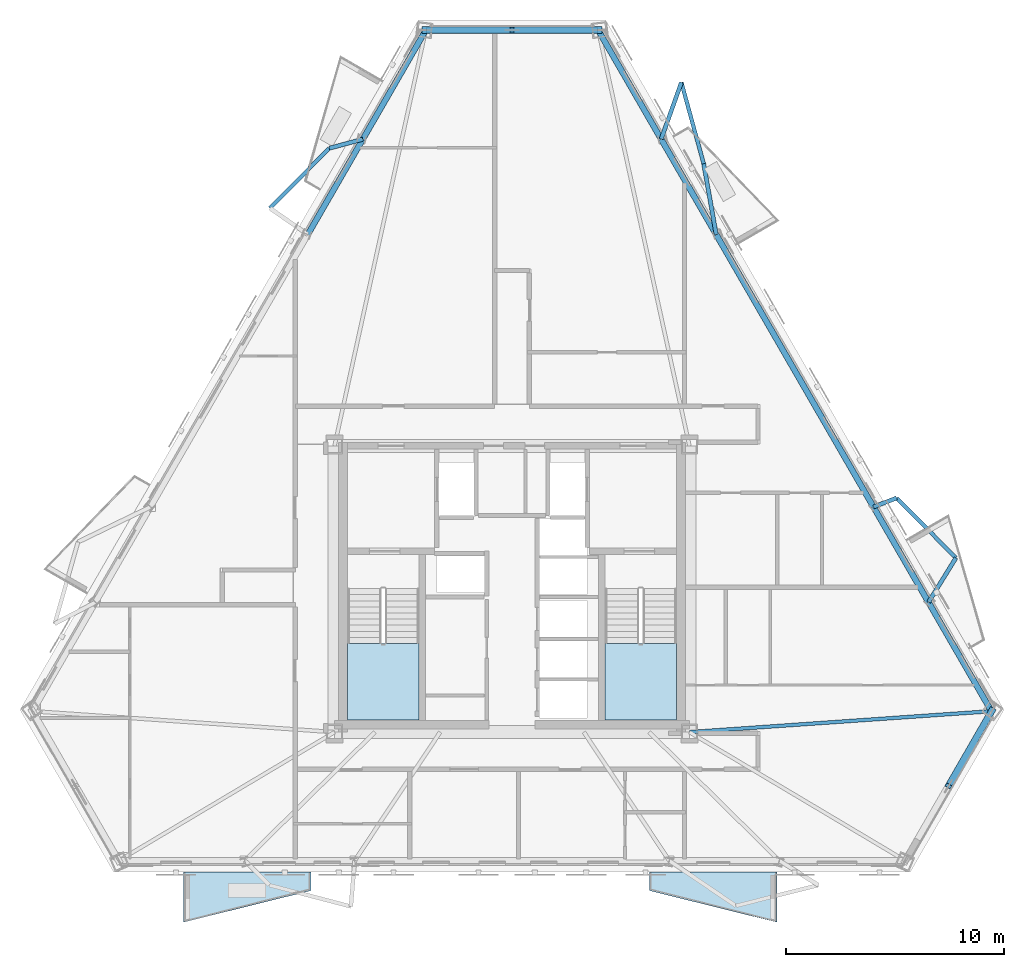
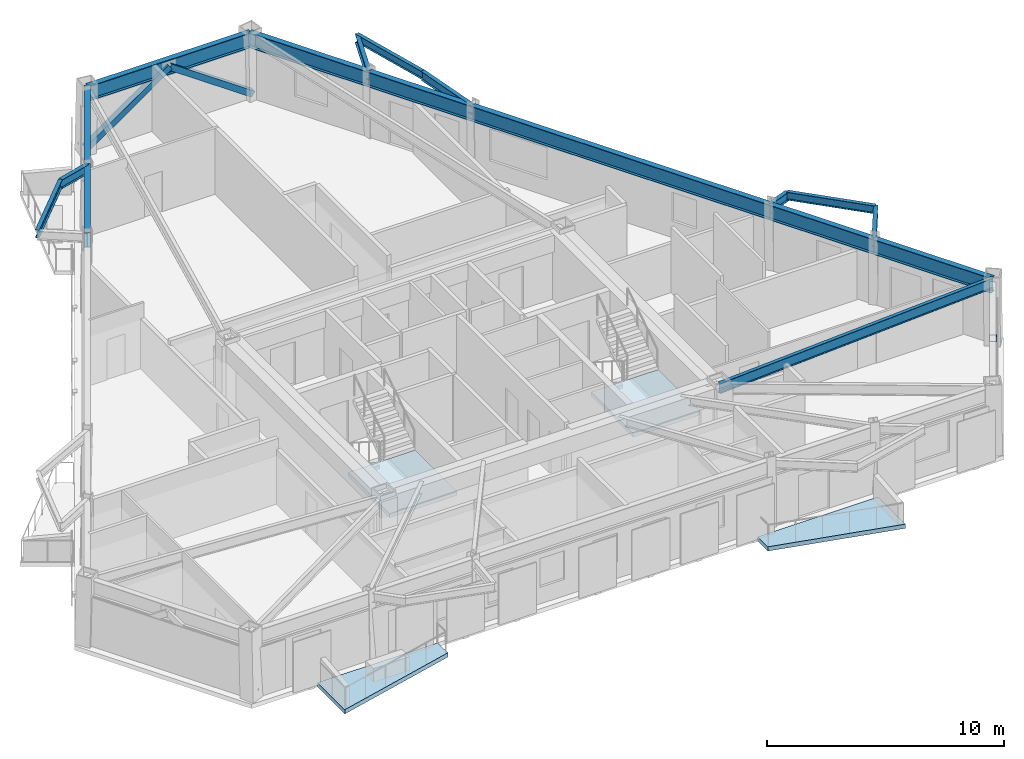
# One storey, part 2 of 10: 17 beams, 4 slabs, 3 members, 2 elements without a shape of their own.
"""IFC4 building model written with IfcOpenShell, lengths in metres."""

from ifc_helpers import new_model, si_unit, direction, frame, origin, origin_2d, place, context, subcontext, project, spatial, polyline, hollow_rectangle, i_section, outline, extrude, material, layer, layer_set, material_profile, profile_set, type_object, element, aggregate, save


model = new_model("IFC4")

# Units and contexts
model_context = context("Model", 3, precision=1e-05, world=origin(), true_north=direction((0.0, 1.0)))
body_context = subcontext(model_context, "Body", "Model", "MODEL_VIEW")
ifc_project = project(units=[si_unit("LENGTHUNIT", "METRE"), si_unit("AREAUNIT", "SQUARE_METRE"), si_unit("VOLUMEUNIT", "CUBIC_METRE"), si_unit("PLANEANGLEUNIT", "RADIAN"), si_unit("MASSUNIT", "GRAM", prefix="KILO")], contexts=[model_context])

# Site, building, storey
site_placement = place(None, origin())
site = spatial("IfcSite", under=ifc_project, at=site_placement, CompositionType="ELEMENT")
building_placement = place(site_placement, origin())
building = spatial("IfcBuilding", under=site, at=building_placement, Name="Oramaril Tower", CompositionType="ELEMENT")
storey_placement = place(building_placement, frame((0.0, 0.0, 181.800048828125)))
storey = spatial("IfcBuildingStorey", under=building, at=storey_placement, Name="L48", CompositionType="ELEMENT", Elevation=181.800048828125)

# Beams
ifc_material_1 = material(Name="Steel ASTM A572 Gr 50", Category="steel")
ifc_material_profile_1 = material_profile(ifc_material_1, i_section(OverallWidth=0.19091796875, OverallDepth=0.45703125, WebThickness=0.009033203125, FlangeThickness=0.014404296875, at=origin_2d()), Name="W18X50")
ifc_profile_set_1 = profile_set([ifc_material_profile_1], Name="Steel ASTM A572 Gr 50")
beam_type_1 = type_object("IfcBeamType", Name="BT-BB1", PredefinedType="BEAM", material=ifc_profile_set_1)
beam_1_placement = place(storey_placement, frame((56.62939453125, 16.9658203125, 3.1513671875), z_axis=(0.525848929743, 0.85057798178, 0.0), x_axis=(-0.85057798178, 0.525848929743, 0.0)))
element("IfcBeam", 1, at=beam_1_placement, inside=storey, type_object=beam_type_1, Name="L48 Balcony Column-Framed Cantilever 03.1", PredefinedType="BEAM", context=body_context, shape_type="SweptSolid", body=[
    extrude(i_section(OverallWidth=0.19091796875, OverallDepth=0.45703125, WebThickness=0.009033203125, FlangeThickness=0.014404296875, at=origin_2d()), origin(), (0.0, 0.0, 1.0), 2.393798828125),
])
beam_2_placement = place(storey_placement, frame((54.1015625, 21.344482421875, 3.1513671875), z_axis=(0.933362134571, 0.358936102599, 0.0), x_axis=(-0.358936102599, 0.933362134571, 0.0)))
element("IfcBeam", 2, at=beam_2_placement, inside=storey, type_object=beam_type_1, Name="L48 Balcony Column-Framed Cantilever 03.2", PredefinedType="BEAM", context=body_context, shape_type="SweptSolid", body=[
    extrude(i_section(OverallWidth=0.19091796875, OverallDepth=0.45703125, WebThickness=0.009033203125, FlangeThickness=0.014404296875, at=origin_2d()), origin(), (0.0, 0.0, 1.0), 1.14208984375),
])
beam_3_placement = place(storey_placement, frame((46.87841796875, 33.85498046875, 3.1513671875), z_axis=(-0.173996251314, 0.984746314808, 0.0), x_axis=(-0.984746314808, -0.173996251314, 0.0)))
element("IfcBeam", 3, at=beam_3_placement, inside=storey, type_object=beam_type_1, Name="L48 Balcony Column-Framed Cantilever 04.1", PredefinedType="BEAM", context=body_context, shape_type="SweptSolid", body=[
    extrude(i_section(OverallWidth=0.19091796875, OverallDepth=0.45703125, WebThickness=0.009033203125, FlangeThickness=0.014404296875, at=origin_2d()), origin(), (0.0, 0.0, 1.0), 3.301513671875),
])
beam_4_placement = place(storey_placement, frame((44.3505859375, 38.233642578125, 3.1513671875), z_axis=(0.336202198508, 0.941789828846, 0.0), x_axis=(-0.941789828846, 0.336202198508, 0.0)))
element("IfcBeam", 4, at=beam_4_placement, inside=storey, type_object=beam_type_1, Name="L48 Balcony Column-Framed Cantilever 04.2", PredefinedType="BEAM", context=body_context, shape_type="SweptSolid", body=[
    extrude(i_section(OverallWidth=0.19091796875, OverallDepth=0.45703125, WebThickness=0.009033203125, FlangeThickness=0.014404296875, at=origin_2d()), origin(), (0.0, 0.0, 1.0), 2.765869140625),
])
beam_5_placement = place(storey_placement, frame((30.6494140625, 38.233642578125, 3.1513671875), z_axis=(-0.965244826525, -0.261347326113, 0.0), x_axis=(0.261347326113, -0.965244826525, 0.0)))
element("IfcBeam", 5, at=beam_5_placement, inside=storey, type_object=beam_type_1, Name="L48 Balcony Column-Framed Cantilever 05.1", PredefinedType="BEAM", context=body_context, shape_type="SweptSolid", body=[
    extrude(i_section(OverallWidth=0.19091796875, OverallDepth=0.45703125, WebThickness=0.009033203125, FlangeThickness=0.014404296875, at=origin_2d()), origin(), (0.0, 0.0, 1.0), 1.599365234375),
])
ifc_material_2 = material(Name="Steel ASTM A572 Gr 50", Category="steel")
ifc_material_profile_2 = material_profile(ifc_material_2, i_section(OverallWidth=0.166015625, OverallDepth=0.528076171875, WebThickness=0.009765625, FlangeThickness=0.013671875, at=origin_2d()), Name="W21X50")
ifc_profile_set_2 = profile_set([ifc_material_profile_2], Name="Steel ASTM A572 Gr 50")
beam_type_2 = type_object("IfcBeamType", Name="BT-FB3", PredefinedType="BEAM", material=ifc_profile_set_2)
beam_6_placement = place(storey_placement, frame((45.64990234375, 11.0, 3.115966796875), z_axis=(0.997604613389, 0.069173949903, 0.0), x_axis=(-0.069173949903, 0.997604613389, 0.0)))
element("IfcBeam", 6, at=beam_6_placement, inside=storey, type_object=beam_type_2, Name="L48 Radial Primary Beam RB-04", PredefinedType="BEAM", context=body_context, shape_type="SweptSolid", body=[
    extrude(i_section(OverallWidth=0.166015625, OverallDepth=0.528076171875, WebThickness=0.009765625, FlangeThickness=0.013671875, at=origin_2d()), origin(), (0.0, 0.0, 1.0), 13.902099609375),
])
ifc_material_3 = material(Name="Steel ASTM A572 Gr 50", Category="steel")
ifc_material_profile_3 = material_profile(ifc_material_3, i_section(OverallWidth=0.177978515625, OverallDepth=0.404052734375, WebThickness=0.007568359375, FlangeThickness=0.010986328125, at=origin_2d()), Name="W16X36")
ifc_profile_set_3 = profile_set([ifc_material_profile_3], Name="Steel ASTM A572 Gr 50")
beam_type_3 = type_object("IfcBeamType", Name="BT-SB1", PredefinedType="BEAM", material=ifc_profile_set_3)
for number, where, z_axis, x_axis, name in (
    (7, (57.88818359375, 19.001953125, 3.177978515625), (-0.702994511648, 0.71119527318, 0.0), (-0.71119527318, -0.702994511648, 0.0), "L48 Balcony Edge Tie Beam 03"),
    (8, (46.303955078125, 37.106201171875, 3.177978515625), (-0.264440915482, 0.964401888332, 0.0), (-0.964401888332, -0.264440915482, 0.0), "L48 Balcony Edge Tie Beam 04"),
    (9, (29.105712890625, 37.815673828125, 3.177978515625), (-0.702994511648, -0.71119527318, 0.0), (0.71119527318, -0.702994511648, 0.0), "L48 Balcony Edge Tie Beam 05"),
):
    element("IfcBeam", number, at=place(storey_placement, frame(where, z_axis=z_axis, x_axis=x_axis)), inside=storey, type_object=beam_type_3, Name=name, PredefinedType="BEAM", context=body_context, shape_type="SweptSolid", body=[
        extrude(i_section(OverallWidth=0.177978515625, OverallDepth=0.404052734375, WebThickness=0.007568359375, FlangeThickness=0.010986328125, at=origin_2d()), origin(), (0.0, 0.0, 1.0), 3.8701171875),
    ])
ifc_material_4 = material(Name="Steel ASTM A572 Gr 50", Category="steel")
ifc_material_profile_4 = material_profile(ifc_material_4, i_section(OverallWidth=0.26708984375, OverallDepth=0.77001953125, WebThickness=0.015625, FlangeThickness=0.025390625, at=origin_2d()), Name="W30X132")
ifc_profile_set_4 = profile_set([ifc_material_profile_4], Name="Steel ASTM A572 Gr 50")
beam_type_4 = type_object("IfcBeamType", Name="BT-SP3", PredefinedType="SPANDREL", material=ifc_profile_set_4)
beam_7_placement = place(storey_placement, frame((59.518798828125, 11.961669921875, 2.994873046875), z_axis=(-0.500033320368, 0.866006165406, 0.0), x_axis=(-0.866006165406, -0.500033320368, 0.0)))
element("IfcBeam", 10, at=beam_7_placement, inside=storey, type_object=beam_type_4, Name="L48 Perimeter Spandrel 08", PredefinedType="SPANDREL", context=body_context, shape_type="SweptSolid", body=[
    extrude(i_section(OverallWidth=0.26708984375, OverallDepth=0.77001953125, WebThickness=0.015625, FlangeThickness=0.025390625, at=origin_2d()), origin(), (0.0, 0.0, 1.0), 5.7783203125),
])
beam_8_placement = place(storey_placement, frame((56.62939453125, 16.9658203125, 2.994873046875), z_axis=(-0.4999718572, 0.866041651428, 0.0), x_axis=(-0.866041651428, -0.4999718572, 0.0)))
element("IfcBeam", 11, at=beam_8_placement, inside=storey, type_object=beam_type_4, Name="L48 Perimeter Spandrel 09", PredefinedType="SPANDREL", context=body_context, shape_type="SweptSolid", body=[
    extrude(i_section(OverallWidth=0.26708984375, OverallDepth=0.77001953125, WebThickness=0.015625, FlangeThickness=0.025390625, at=origin_2d()), origin(), (0.0, 0.0, 1.0), 5.055908203125),
])
beam_9_placement = place(storey_placement, frame((54.1015625, 21.344482421875, 2.994873046875), z_axis=(-0.500010649093, 0.866019255441, 0.0), x_axis=(-0.866019255441, -0.500010649093, 0.0)))
element("IfcBeam", 12, at=beam_9_placement, inside=storey, type_object=beam_type_4, Name="L48 Perimeter Spandrel 10", PredefinedType="SPANDREL", context=body_context, shape_type="SweptSolid", body=[
    extrude(i_section(OverallWidth=0.26708984375, OverallDepth=0.77001953125, WebThickness=0.015625, FlangeThickness=0.025390625, at=origin_2d()), origin(), (0.0, 0.0, 1.0), 14.446044921875),
])
beam_10_placement = place(storey_placement, frame((46.87841796875, 33.85498046875, 2.994873046875), z_axis=(-0.4999718572, 0.866041651428, 0.0), x_axis=(-0.866041651428, -0.4999718572, 0.0)))
element("IfcBeam", 13, at=beam_10_placement, inside=storey, type_object=beam_type_4, Name="L48 Perimeter Spandrel 11", PredefinedType="SPANDREL", context=body_context, shape_type="SweptSolid", body=[
    extrude(i_section(OverallWidth=0.26708984375, OverallDepth=0.77001953125, WebThickness=0.015625, FlangeThickness=0.025390625, at=origin_2d()), origin(), (0.0, 0.0, 1.0), 5.055908203125),
])
beam_11_placement = place(storey_placement, frame((44.3505859375, 38.233642578125, 2.994873046875), z_axis=(-0.500033320368, 0.866006165406, 0.0), x_axis=(-0.866006165406, -0.500033320368, 0.0)))
element("IfcBeam", 14, at=beam_11_placement, inside=storey, type_object=beam_type_4, Name="L48 Perimeter Spandrel 12", PredefinedType="SPANDREL", context=body_context, shape_type="SweptSolid", body=[
    extrude(i_section(OverallWidth=0.26708984375, OverallDepth=0.77001953125, WebThickness=0.015625, FlangeThickness=0.025390625, at=origin_2d()), origin(), (0.0, 0.0, 1.0), 5.7783203125),
])
beam_12_placement = place(storey_placement, frame((41.461181640625, 43.23779296875, 2.994873046875), z_axis=(-1.0, 0.0, 0.0), x_axis=(0.0, -1.0, 0.0)))
element("IfcBeam", 15, at=beam_12_placement, inside=storey, type_object=beam_type_4, Name="L48 Perimeter Spandrel 13", PredefinedType="SPANDREL", context=body_context, shape_type="SweptSolid", body=[
    extrude(i_section(OverallWidth=0.26708984375, OverallDepth=0.77001953125, WebThickness=0.015625, FlangeThickness=0.025390625, at=origin_2d()), origin(), (0.0, 0.0, 1.0), 7.92236328125),
])
beam_13_placement = place(storey_placement, frame((33.538818359375, 43.23779296875, 2.994873046875), z_axis=(-0.500033320368, -0.866006165406, 0.0), x_axis=(0.866006165406, -0.500033320368, 0.0)))
element("IfcBeam", 16, at=beam_13_placement, inside=storey, type_object=beam_type_4, Name="L48 Perimeter Spandrel 14", PredefinedType="SPANDREL", context=body_context, shape_type="SweptSolid", body=[
    extrude(i_section(OverallWidth=0.26708984375, OverallDepth=0.77001953125, WebThickness=0.015625, FlangeThickness=0.025390625, at=origin_2d()), origin(), (0.0, 0.0, 1.0), 5.7783203125),
])
beam_14_placement = place(storey_placement, frame((30.6494140625, 38.233642578125, 2.994873046875), z_axis=(-0.4999718572, -0.866041651428, 0.0), x_axis=(0.866041651428, -0.4999718572, 0.0)))
element("IfcBeam", 17, at=beam_14_placement, inside=storey, type_object=beam_type_4, Name="L48 Perimeter Spandrel 15", PredefinedType="SPANDREL", context=body_context, shape_type="SweptSolid", body=[
    extrude(i_section(OverallWidth=0.26708984375, OverallDepth=0.77001953125, WebThickness=0.015625, FlangeThickness=0.025390625, at=origin_2d()), origin(), (0.0, 0.0, 1.0), 5.055908203125),
])

# Members
ifc_material_5 = material(Name="Steel ASTM A572 Gr 50", Category="steel")
ifc_material_profile_5 = material_profile(ifc_material_5, hollow_rectangle(XDim=0.300048828125, YDim=0.300048828125, WallThickness=0.01611328125, at=origin_2d()), Name="HSS300X300X16")
ifc_profile_set_5 = profile_set([ifc_material_profile_5], Name="Steel ASTM A572 Gr 50")
member_type = type_object("IfcMemberType", Name="MT-KB2", PredefinedType="BRACE", material=ifc_profile_set_5)
member_placement = place(storey_placement, frame((59.5654296875, 12.023681640625, 0.179931640625), z_axis=(-0.410202073742, -0.7104515423, 0.571832899317), x_axis=(0.86601343004, -0.500020738559, 0.0)))
element("IfcMember", 18, at=member_placement, inside=storey, type_object=member_type, Name="L48 Perimeter Chevron Brace KB-2B", PredefinedType="BRACE", context=body_context, shape_type="SweptSolid", body=[
    extrude(hollow_rectangle(XDim=0.300048828125, YDim=0.300048828125, WallThickness=0.01611328125, at=origin_2d()), origin(), (0.0, 0.0, 1.0), 4.922607421875),
])
for number, where, z_axis, x_axis, name in (
    (19, (41.53857421875, 43.247314453125, 0.179931640625), (-0.820381246882, 0.0, 0.571816937284), (0.0, -1.0, 0.0), "L48 Perimeter Chevron Brace KB-3A"),
    (20, (33.46142578125, 43.247314453125, 0.179931640625), (0.820381246882, 0.0, 0.571816937284), (0.0, 1.0, 0.0), "L48 Perimeter Chevron Brace KB-3B"),
):
    element("IfcMember", number, at=place(storey_placement, frame(where, z_axis=z_axis, x_axis=x_axis)), inside=storey, type_object=member_type, Name=name, PredefinedType="BRACE", context=body_context, shape_type="SweptSolid", body=[
        extrude(hollow_rectangle(XDim=0.300048828125, YDim=0.300048828125, WallThickness=0.01611328125, at=origin_2d()), origin(), (0.0, 0.0, 1.0), 4.9228515625),
    ])

# Slab
ifc_material_6 = material(Name="Concrete C40/50", Category="concrete")
ifc_layer_1 = layer(ifc_material_6, 0.199951171875)
ifc_layer_set_1 = layer_set([ifc_layer_1], Name="SLT-BAL20")
slab_type_1 = type_object("IfcSlabType", Name="SLT-BAL20", PredefinedType="FLOOR", material=ifc_layer_set_1)
slab_1_placement = place(storey_placement, frame((0.0, 0.0, -0.219970703125)))
element("IfcSlab", 21, at=slab_1_placement, inside=storey, type_object=slab_type_1, Name="L48 Cantilevered Balcony Slab L48-BAL-S2", PredefinedType="FLOOR", context=body_context, shape_type="SweptSolid", body=[
    extrude(outline(polyline([(43.8173828125, 4.57080078125), (49.66748046875, 4.57080078125), (49.66748046875, 2.268798828125), (43.8173828125, 3.718994140625), (43.8173828125, 4.57080078125)])), origin(), (0.0, 0.0, 1.0), 0.219970703125),
])

# Stair, slab
ifc_material_7 = material(Name="Concrete C50/60", Category="concrete")
stair_type = type_object("IfcStairType", Name="STT-DG-3600", PredefinedType="HALF_TURN_STAIR", material=ifc_material_7)
stair_1_placement = place(storey_placement, origin())
stair_1 = element("IfcStair", 22, at=stair_1_placement, inside=storey, type_object=stair_type, Name="L48 Protected PFP Exit Stair ST-1", PredefinedType="HALF_TURN_STAIR")
ifc_material_8 = material(Name="Concrete C50/60", Category="concrete")
ifc_layer_2 = layer(ifc_material_8, 0.199951171875)
ifc_layer_set_2 = layer_set([ifc_layer_2], Name="SLT-LND20")
slab_type_2 = type_object("IfcSlabType", Name="SLT-LND20", PredefinedType="LANDING", material=ifc_layer_set_2)
slab_2_placement = place(storey_placement, frame((0.0, 0.0, 1.599853515625)))
slab_2 = element("IfcSlab", 23, at=slab_2_placement, type_object=slab_type_2, Name="ST-1 landing 1", PredefinedType="LANDING", context=body_context, shape_type="SweptSolid", body=[
    extrude(outline(polyline([(29.949951171875, 15.070068359375), (29.949951171875, 11.550048828125), (33.219970703125, 11.550048828125), (33.219970703125, 15.070068359375), (29.949951171875, 15.070068359375)])), origin(), (0.0, 0.0, 1.0), 0.2001953125),
])
aggregate(stair_1, [slab_2])

stair_2_placement = place(storey_placement, origin())
stair_2 = element("IfcStair", 24, at=stair_2_placement, inside=storey, type_object=stair_type, Name="L48 Protected PFP Exit Stair ST-2", PredefinedType="HALF_TURN_STAIR")
slab_3_placement = place(storey_placement, frame((0.0, 0.0, 1.599853515625)))
slab_3 = element("IfcSlab", 25, at=slab_3_placement, type_object=slab_type_2, Name="ST-2 landing 1", PredefinedType="LANDING", context=body_context, shape_type="SweptSolid", body=[
    extrude(outline(polyline([(41.780029296875, 15.070068359375), (41.780029296875, 11.550048828125), (45.050048828125, 11.550048828125), (45.050048828125, 15.070068359375), (41.780029296875, 15.070068359375)])), origin(), (0.0, 0.0, 1.0), 0.2001953125),
])
aggregate(stair_2, [slab_3])

# Slab
ifc_material_9 = material(Name="Concrete C40/50", Category="concrete")
ifc_layer_3 = layer(ifc_material_9, 0.18994140625)
ifc_layer_set_3 = layer_set([ifc_layer_3], Name="SLT-PLN19")
slab_type_3 = type_object("IfcSlabType", Name="SLT-PLN19", PredefinedType="FLOOR", material=ifc_layer_set_3)
slab_4_placement = place(storey_placement, frame((0.0, 0.0, -0.219970703125)))
element("IfcSlab", 26, at=slab_4_placement, inside=storey, type_object=slab_type_3, Name="L48 Tree Planter Balcony Slab L48-BAL-S1", PredefinedType="FLOOR", context=body_context, shape_type="SweptSolid", body=[
    extrude(outline(polyline([(22.40771484375, 4.57080078125), (28.257568359375, 4.57080078125), (28.257568359375, 3.718994140625), (22.40771484375, 2.268798828125), (22.40771484375, 4.57080078125)])), origin(), (0.0, 0.0, 1.0), 0.219970703125),
])

save(model, "model.ifc")
